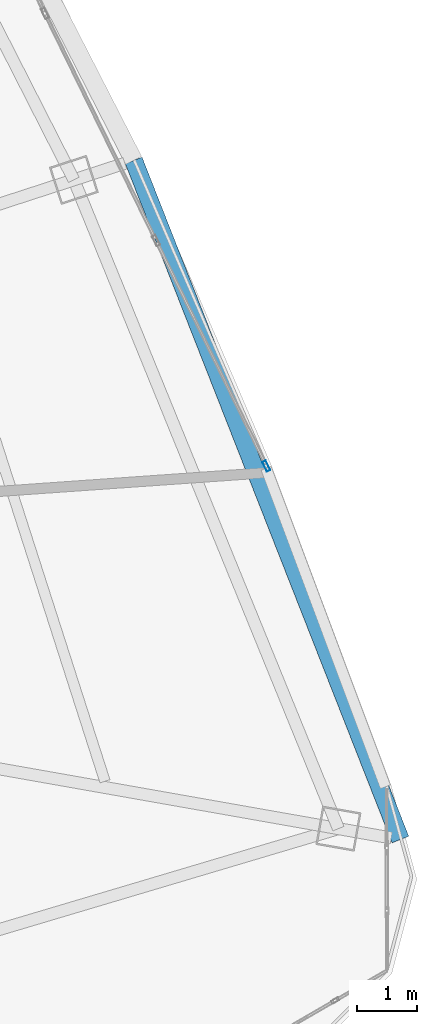
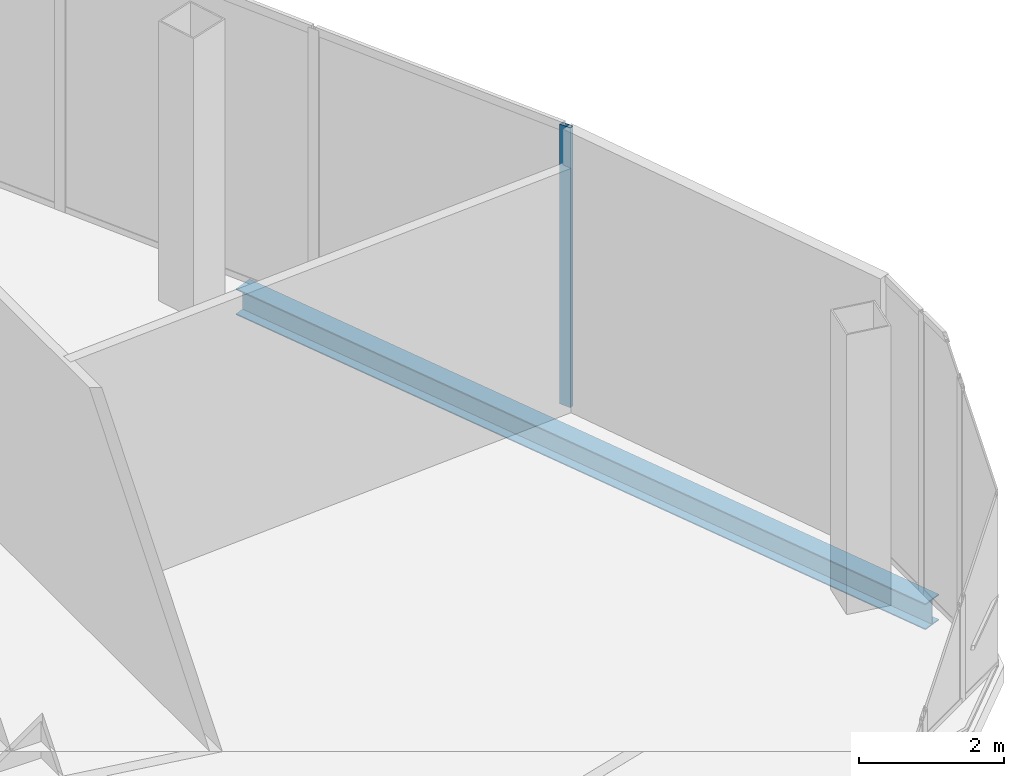
# One storey, part 18 of 33: 1 beam, 1 member, 1 element without a shape of its own.
"""IFC4 building model written with IfcOpenShell, lengths in metres."""

from ifc_helpers import new_model, si_unit, direction, frame, origin, origin_2d, place, context, subcontext, project, spatial, hollow_rectangle, i_section, extrude, source, transform, mapped, material, layer, layer_set, material_profile, profile_set, type_object, element, aggregate, save


model = new_model("IFC4")

# Units and contexts
model_context = context("Model", 3, precision=1e-05, world=origin(), true_north=direction((0.0, 1.0)))
body_context = subcontext(model_context, "Body", "Model", "MODEL_VIEW")
ifc_project = project(units=[si_unit("LENGTHUNIT", "METRE"), si_unit("AREAUNIT", "SQUARE_METRE"), si_unit("VOLUMEUNIT", "CUBIC_METRE"), si_unit("PLANEANGLEUNIT", "RADIAN"), si_unit("MASSUNIT", "GRAM", prefix="KILO"), si_unit("THERMODYNAMICTEMPERATUREUNIT", "KELVIN"), si_unit("POWERUNIT", "WATT")], contexts=[model_context])

# Site, building, storey
site_placement = place(None, origin())
site = spatial("IfcSite", under=ifc_project, at=site_placement, CompositionType="ELEMENT")
building_placement = place(site_placement, origin())
building = spatial("IfcBuilding", under=site, at=building_placement, Name="Yunzhuo Pagoda Commons", CompositionType="ELEMENT")
storey_placement = place(building_placement, frame((0.0, 0.0, 391.760009765625)))
storey = spatial("IfcBuildingStorey", under=building, at=storey_placement, Name="L97", CompositionType="ELEMENT", Elevation=391.760009765625)

# Beam
ifc_material_1 = material(Name="Structural steel Q355B", Category="steel")
ifc_material_profile_1 = material_profile(ifc_material_1, i_section(OverallWidth=0.300048828125, OverallDepth=0.43994140625, WebThickness=0.010986328125, FlangeThickness=0.01806640625, at=origin_2d()), Name="Structural steel Q355B")
ifc_profile_set_1 = profile_set([ifc_material_profile_1], Name="Structural steel Q355B")
beam_type = type_object("IfcBeamType", Name="B-SP2 Beam HM 440x300x11x18", PredefinedType="BEAM", material=ifc_profile_set_1)
shared_shape_1 = source(origin(), body_context, "Body", "SweptSolid", [
    extrude(i_section(OverallWidth=0.300048828125, OverallDepth=0.43994140625, WebThickness=0.010986328125, FlangeThickness=0.01806640625, at=origin_2d()), origin(), (0.0, 0.0, 1.0), 12.18017578125),
])
beam_placement = place(storey_placement, frame((73.504150390625, 29.202880859375, -0.5), z_axis=(-0.365522138301, 0.930802646328, 0.0), x_axis=(-0.930802646328, -0.365522138301, 0.0)))
element("IfcBeam", 1, at=beam_placement, inside=storey, type_object=beam_type, Name="L97 facade edge spandrel beam F2.1", PredefinedType="BEAM", context=body_context, shape_type="MappedRepresentation", body=[
    mapped(shared_shape_1, transform((0.0, 0.0, 0.0), scale=1.0)),
])

# Curtain wall, member
ifc_material_2 = material(Name="Anodized aluminium 6063-T6", Category="aluminium")
ifc_layer = layer(ifc_material_2, 0.179931640625)
ifc_layer_set = layer_set([ifc_layer], Name="Anodized aluminium 6063-T6")
curtain_wall_type = type_object("IfcCurtainWallType", Name="CW-CRN Crown Gable Glazing System", PredefinedType="NOTDEFINED", material=ifc_layer_set)
curtain_wall_placement = place(storey_placement, origin())
curtain_wall = element("IfcCurtainWall", 2, at=curtain_wall_placement, inside=storey, type_object=curtain_wall_type, Name="L97 curtain wall CW-L97-CRNF2G1", PredefinedType="NOTDEFINED")
ifc_material_profile_2 = material_profile(ifc_material_2, hollow_rectangle(XDim=0.06494140625, YDim=0.179931640625, WallThickness=0.00390625, at=origin_2d()), Name="Anodized aluminium 6063-T6")
ifc_profile_set_2 = profile_set([ifc_material_profile_2], Name="Anodized aluminium 6063-T6")
member_type = type_object("IfcMemberType", Name="CW-CRN-M Mullion RHS 180x65x4", PredefinedType="MULLION", material=ifc_profile_set_2)
shared_shape_2 = source(origin(), body_context, "Body", "SweptSolid", [
    extrude(hollow_rectangle(XDim=0.06494140625, YDim=0.179931640625, WallThickness=0.00390625, at=origin_2d()), origin(), (0.0, 0.0, 1.0), 4.72021484375),
])
member_placement = place(storey_placement, frame((71.266845703125, 35.4384765625, 0.0), z_axis=(0.0, 0.0, 1.0), x_axis=(-0.898299261226, -0.439384156839, 0.0)))
member = element("IfcMember", 3, at=member_placement, type_object=member_type, Name="CW mullion 1", PredefinedType="MULLION", context=body_context, shape_type="MappedRepresentation", body=[
    mapped(shared_shape_2, transform((0.0, 0.0, 0.0), scale=1.0)),
])
aggregate(curtain_wall, [member])

save(model, "model.ifc")
